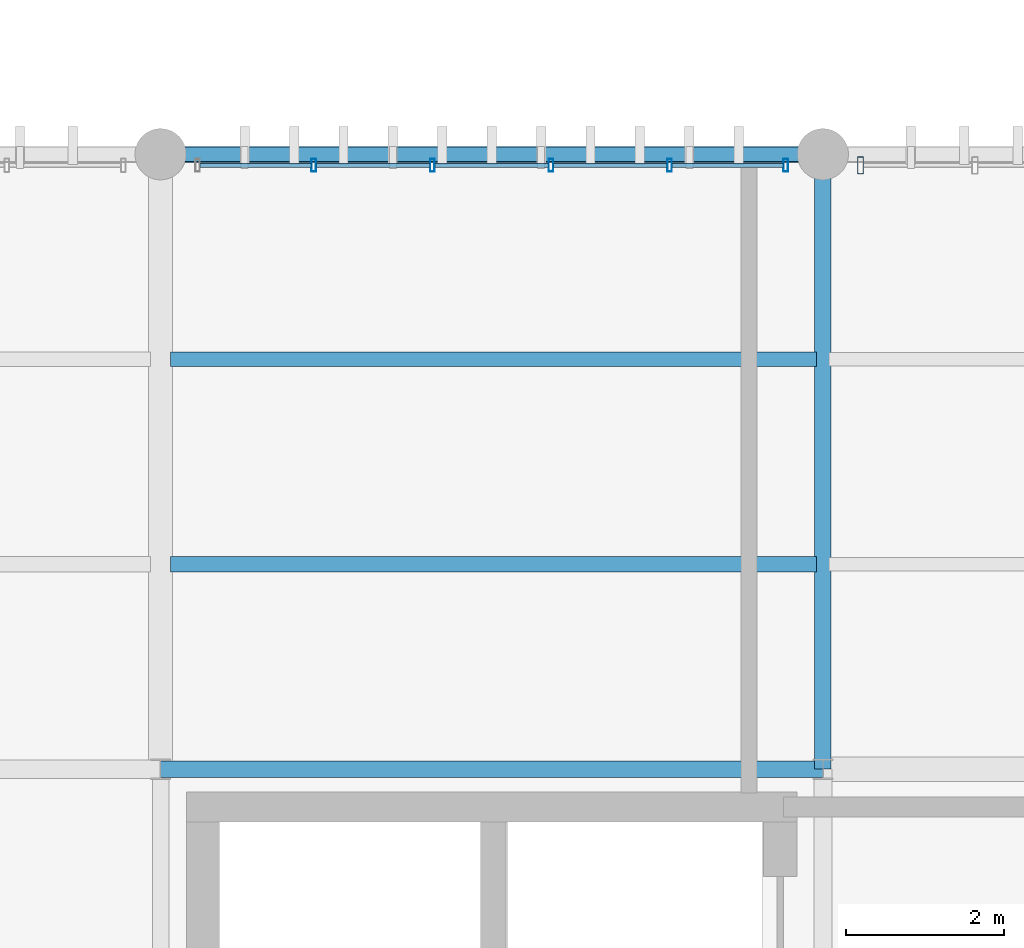
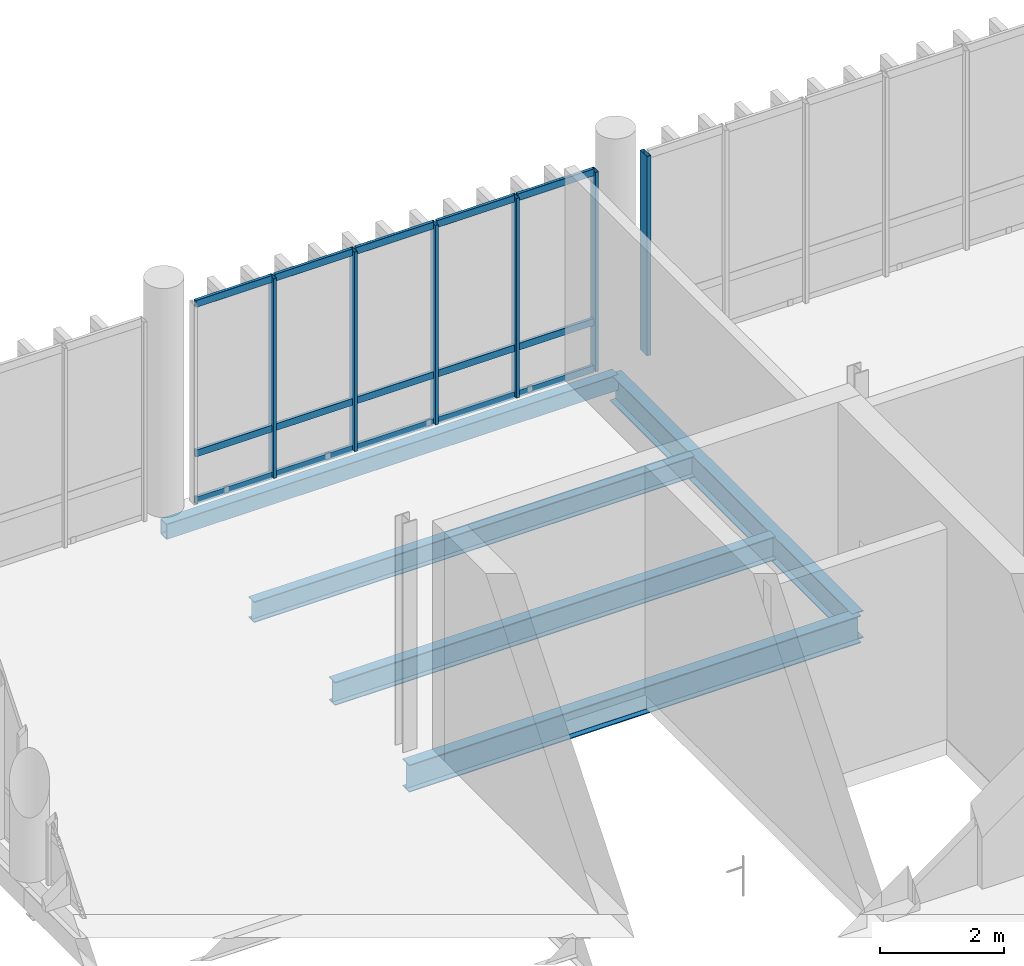
# One storey, part 12 of 66: 21 members, 5 beams, 2 elements without a shape of their own.
"""IFC4 building model written with IfcOpenShell, lengths in metres."""

from ifc_helpers import new_model, si_unit, direction, frame, origin_with_axes, origin_2d_with_axis, place, context, subcontext, project, spatial, hollow_rectangle, i_section, extrude, material, material_profile, profile_set, type_object, element, aggregate, save


model = new_model("IFC4")

# Units and contexts
model_context = context("Model", 3, precision=1e-05, world=origin_with_axes(), true_north=direction((0.0, 1.0)))
body_context = subcontext(model_context, "Body", "Model", "MODEL_VIEW")
ifc_project = project(units=[si_unit("LENGTHUNIT", "METRE"), si_unit("AREAUNIT", "SQUARE_METRE"), si_unit("VOLUMEUNIT", "CUBIC_METRE"), si_unit("PLANEANGLEUNIT", "RADIAN"), si_unit("MASSUNIT", "GRAM", prefix="KILO"), si_unit("THERMODYNAMICTEMPERATUREUNIT", "KELVIN")], contexts=[model_context])

# Site, building, storey
site_placement = place(None, origin_with_axes())
site = spatial("IfcSite", under=ifc_project, at=site_placement, CompositionType="ELEMENT")
building_placement = place(site_placement, origin_with_axes())
building = spatial("IfcBuilding", under=site, at=building_placement, Name="Montbau Bow Law Courts", CompositionType="ELEMENT")
storey_placement = place(building_placement, frame((0.0, 0.0, 34.5), z_axis=(0.0, 0.0, 1.0), x_axis=(1.0, 0.0, 0.0)))
storey = spatial("IfcBuildingStorey", under=building, at=storey_placement, Name="L07", CompositionType="ELEMENT", Elevation=34.5)

# Beams
ifc_material_1 = material(Name="Steel CSA G40.21 Grade 350W (350 MPa)", Category="steel")
ifc_material_profile_1 = material_profile(ifc_material_1, i_section(OverallWidth=0.21, OverallDepth=0.537, WebThickness=0.0109, FlangeThickness=0.0174, at=origin_2d_with_axis()), Name="W530X101", Category="Main", Priority=0)
ifc_profile_set_1 = profile_set([ifc_material_profile_1], Name="Steel CSA G40.21 Grade 350W (350 MPa)")
beam_type_1 = type_object("IfcBeamType", Name="B-FLR-06", PredefinedType="BEAM", material=ifc_profile_set_1)
beam_1_placement = place(None, frame((13.8, 54.6, 33.931), z_axis=(1.0, 0.0, 0.0), x_axis=(0.0, 1.0, 0.0)))
element("IfcBeam", 1, at=beam_1_placement, inside=storey, type_object=beam_type_1, Name="BM-L07-S0729:bm2_0732", PredefinedType="BEAM", context=body_context, shape_type="SweptSolid", body=[
    extrude(i_section(OverallWidth=0.21, OverallDepth=0.537, WebThickness=0.0109, FlangeThickness=0.0174, at=origin_2d_with_axis()), origin_with_axes(), (0.0, 0.0, 1.0), 8.4),
])
beam_2_placement = place(None, frame((22.2, 54.6, 33.931), z_axis=(0.0, 1.0, 0.0), x_axis=(-1.0, 0.0, 0.0)))
element("IfcBeam", 2, at=beam_2_placement, inside=storey, type_object=beam_type_1, Name="BM-L07-S0748:bm2_0751", PredefinedType="BEAM", context=body_context, shape_type="SweptSolid", body=[
    extrude(i_section(OverallWidth=0.21, OverallDepth=0.537, WebThickness=0.0109, FlangeThickness=0.0174, at=origin_2d_with_axis()), origin_with_axes(), (0.0, 0.0, 1.0), 7.8),
])
ifc_material_profile_2 = material_profile(ifc_material_1, i_section(OverallWidth=0.191, OverallDepth=0.46, WebThickness=0.0099, FlangeThickness=0.016, at=origin_2d_with_axis()), Name="W460X82", Category="Main", Priority=0)
ifc_profile_set_2 = profile_set([ifc_material_profile_2], Name="Steel CSA G40.21 Grade 350W (350 MPa)")
beam_type_2 = type_object("IfcBeamType", Name="B-JST-01", PredefinedType="JOIST", material=ifc_profile_set_2)
beam_3_placement = place(None, frame((13.929, 57.2, 33.97), z_axis=(1.0, 0.0, 0.0), x_axis=(0.0, 1.0, 0.0)))
element("IfcBeam", 3, at=beam_3_placement, inside=storey, type_object=beam_type_2, Name="JST-L07-S0368:jst2_0368", PredefinedType="JOIST", context=body_context, shape_type="SweptSolid", body=[
    extrude(i_section(OverallWidth=0.191, OverallDepth=0.46, WebThickness=0.0099, FlangeThickness=0.016, at=origin_2d_with_axis()), origin_with_axes(), (0.0, 0.0, 1.0), 8.19),
])
ifc_material_profile_3 = material_profile(ifc_material_1, i_section(OverallWidth=0.179, OverallDepth=0.41, WebThickness=0.0088, FlangeThickness=0.0144, at=origin_2d_with_axis()), Name="W410X67", Category="Main", Priority=0)
ifc_profile_set_3 = profile_set([ifc_material_profile_3], Name="Steel CSA G40.21 Grade 350W (350 MPa)")
beam_type_3 = type_object("IfcBeamType", Name="B-JST-02", PredefinedType="JOIST", material=ifc_profile_set_3)
beam_4_placement = place(None, frame((13.929, 59.8, 33.995), z_axis=(1.0, 0.0, 0.0), x_axis=(0.0, 1.0, 0.0)))
element("IfcBeam", 4, at=beam_4_placement, inside=storey, type_object=beam_type_3, Name="JST-L07-S0369:jst2_0369", PredefinedType="JOIST", context=body_context, shape_type="SweptSolid", body=[
    extrude(i_section(OverallWidth=0.179, OverallDepth=0.41, WebThickness=0.0088, FlangeThickness=0.0144, at=origin_2d_with_axis()), origin_with_axes(), (0.0, 0.0, 1.0), 8.19),
])
ifc_material_2 = material(Name="Steel CSA G40.21 Grade 350WT (350 MPa)", Category="steel")
ifc_material_profile_4 = material_profile(ifc_material_2, hollow_rectangle(XDim=0.203, YDim=0.305, WallThickness=0.0127, InnerFilletRadius=0.0254, OuterFilletRadius=0.0127, at=origin_2d_with_axis()), Name="HSS305X203X13", Category="Main", Priority=0)
ifc_profile_set_4 = profile_set([ifc_material_profile_4], Name="Steel CSA G40.21 Grade 350WT (350 MPa)")
beam_type_4 = type_object("IfcBeamType", Name="B-SPN-02", PredefinedType="SPANDREL", material=ifc_profile_set_4)
beam_5_placement = place(None, frame((13.8, 62.4, 34.047), z_axis=(1.0, 0.0, 0.0), x_axis=(0.0, 1.0, 0.0)))
element("IfcBeam", 5, at=beam_5_placement, inside=storey, type_object=beam_type_4, Name="SPN-L07-S0734:bm2_0737", PredefinedType="SPANDREL", context=body_context, shape_type="SweptSolid", body=[
    extrude(hollow_rectangle(XDim=0.203, YDim=0.305, WallThickness=0.0127, InnerFilletRadius=0.0254, OuterFilletRadius=0.0127, at=origin_2d_with_axis()), origin_with_axes(), (0.0, 0.0, 1.0), 8.4),
])

# Curtain wall, member
ifc_material_3 = material(Name="Thermally Broken Extruded Aluminium AA 6063-T6", Category="aluminium")
curtain_wall_type = type_object("IfcCurtainWallType", Name="CW-TRC-02", PredefinedType="NOTDEFINED", material=ifc_material_3)
curtain_wall_1_placement = place(None, frame((22.64, 62.26, 34.5), z_axis=(0.0, 0.0, 1.0), x_axis=(1.0, 0.0, 0.0)))
curtain_wall_1 = element("IfcCurtainWall", 6, at=curtain_wall_1_placement, inside=storey, type_object=curtain_wall_type, Name="CW-L07-114:cw_0114", PredefinedType="NOTDEFINED")
ifc_material_profile_5 = material_profile(ifc_material_3, hollow_rectangle(XDim=0.075, YDim=0.22, WallThickness=0.005, InnerFilletRadius=0.01, OuterFilletRadius=0.005, at=origin_2d_with_axis()), Name="CWM-220X75", Category="Main", Priority=0)
ifc_profile_set_5 = profile_set([ifc_material_profile_5], Name="Thermally Broken Extruded Aluminium AA 6063-T6")
member_type_1 = type_object("IfcMemberType", Name="M-MUL-01", PredefinedType="MULLION", material=ifc_profile_set_5)
member_1_placement = place(None, frame((22.677, 62.26, 34.5), z_axis=(0.0, 0.0, 1.0), x_axis=(1.0, 0.0, 0.0)))
member_1 = element("IfcMember", 7, at=member_1_placement, type_object=member_type_1, Name="CW-L07-114-M01:cw_0114_M01", PredefinedType="MULLION", context=body_context, shape_type="SweptSolid", body=[
    extrude(hollow_rectangle(XDim=0.075, YDim=0.22, WallThickness=0.005, InnerFilletRadius=0.01, OuterFilletRadius=0.005, at=origin_2d_with_axis()), origin_with_axes(), (0.0, 0.0, 1.0), 3.92),
])
aggregate(curtain_wall_1, [member_1])

# Curtain wall, members
curtain_wall_2_placement = place(None, frame((14.24, 62.26, 34.5), z_axis=(0.0, 0.0, 1.0), x_axis=(1.0, 0.0, 0.0)))
curtain_wall_2 = element("IfcCurtainWall", 8, at=curtain_wall_2_placement, inside=storey, type_object=curtain_wall_type, Name="CW-L07-113:cw_0113", PredefinedType="NOTDEFINED")
ifc_material_profile_6 = material_profile(ifc_material_3, hollow_rectangle(XDim=0.06, YDim=0.16, WallThickness=0.004, InnerFilletRadius=0.008, OuterFilletRadius=0.004, at=origin_2d_with_axis()), Name="CWM-160X60", Category="Main", Priority=0)
ifc_profile_set_6 = profile_set([ifc_material_profile_6], Name="Thermally Broken Extruded Aluminium AA 6063-T6")
member_type_2 = type_object("IfcMemberType", Name="M-MUL-03", PredefinedType="MULLION", material=ifc_profile_set_6)
member_2_placement = place(None, frame((15.744, 62.26, 34.5), z_axis=(0.0, 0.0, 1.0), x_axis=(1.0, 0.0, 0.0)))
member_2 = element("IfcMember", 9, at=member_2_placement, type_object=member_type_2, Name="CW-L07-113-M02:cw_0113_M02", PredefinedType="MULLION", context=body_context, shape_type="SweptSolid", body=[
    extrude(hollow_rectangle(XDim=0.06, YDim=0.16, WallThickness=0.004, InnerFilletRadius=0.008, OuterFilletRadius=0.004, at=origin_2d_with_axis()), origin_with_axes(), (0.0, 0.0, 1.0), 3.92),
])
member_3_placement = place(None, frame((17.248, 62.26, 34.5), z_axis=(0.0, 0.0, 1.0), x_axis=(1.0, 0.0, 0.0)))
member_3 = element("IfcMember", 10, at=member_3_placement, type_object=member_type_2, Name="CW-L07-113-M03:cw_0113_M03", PredefinedType="MULLION", context=body_context, shape_type="SweptSolid", body=[
    extrude(hollow_rectangle(XDim=0.06, YDim=0.16, WallThickness=0.004, InnerFilletRadius=0.008, OuterFilletRadius=0.004, at=origin_2d_with_axis()), origin_with_axes(), (0.0, 0.0, 1.0), 3.92),
])
member_4_placement = place(None, frame((18.752, 62.26, 34.5), z_axis=(0.0, 0.0, 1.0), x_axis=(1.0, 0.0, 0.0)))
member_4 = element("IfcMember", 11, at=member_4_placement, type_object=member_type_2, Name="CW-L07-113-M04:cw_0113_M04", PredefinedType="MULLION", context=body_context, shape_type="SweptSolid", body=[
    extrude(hollow_rectangle(XDim=0.06, YDim=0.16, WallThickness=0.004, InnerFilletRadius=0.008, OuterFilletRadius=0.004, at=origin_2d_with_axis()), origin_with_axes(), (0.0, 0.0, 1.0), 3.92),
])
member_5_placement = place(None, frame((20.256, 62.26, 34.5), z_axis=(0.0, 0.0, 1.0), x_axis=(1.0, 0.0, 0.0)))
member_5 = element("IfcMember", 12, at=member_5_placement, type_object=member_type_2, Name="CW-L07-113-M05:cw_0113_M05", PredefinedType="MULLION", context=body_context, shape_type="SweptSolid", body=[
    extrude(hollow_rectangle(XDim=0.06, YDim=0.16, WallThickness=0.004, InnerFilletRadius=0.008, OuterFilletRadius=0.004, at=origin_2d_with_axis()), origin_with_axes(), (0.0, 0.0, 1.0), 3.92),
])
member_6_placement = place(None, frame((21.73, 62.26, 34.5), z_axis=(0.0, 0.0, 1.0), x_axis=(1.0, 0.0, 0.0)))
member_6 = element("IfcMember", 13, at=member_6_placement, type_object=member_type_2, Name="CW-L07-113-M06:cw_0113_M06", PredefinedType="MULLION", context=body_context, shape_type="SweptSolid", body=[
    extrude(hollow_rectangle(XDim=0.06, YDim=0.16, WallThickness=0.004, InnerFilletRadius=0.008, OuterFilletRadius=0.004, at=origin_2d_with_axis()), origin_with_axes(), (0.0, 0.0, 1.0), 3.92),
])
ifc_material_profile_7 = material_profile(ifc_material_3, hollow_rectangle(XDim=0.055, YDim=0.14, WallThickness=0.004, InnerFilletRadius=0.008, OuterFilletRadius=0.004, at=origin_2d_with_axis()), Name="CWT-140X55", Category="Main", Priority=0)
ifc_profile_set_7 = profile_set([ifc_material_profile_7], Name="Thermally Broken Extruded Aluminium AA 6063-T6")
member_type_3 = type_object("IfcMemberType", Name="M-TRN-02", PredefinedType="USERDEFINED", material=ifc_profile_set_7)
member_7_placement = place(None, frame((14.302, 62.26, 34.528), z_axis=(1.0, 0.0, 0.0), x_axis=(0.0, 1.0, 0.0)))
member_7 = element("IfcMember", 14, at=member_7_placement, type_object=member_type_3, Name="CW-L07-113-T01-1:cw_0113_T01_1", ObjectType="TRANSOM", PredefinedType="USERDEFINED", context=body_context, shape_type="SweptSolid", body=[
    extrude(hollow_rectangle(XDim=0.055, YDim=0.14, WallThickness=0.004, InnerFilletRadius=0.008, OuterFilletRadius=0.004, at=origin_2d_with_axis()), origin_with_axes(), (0.0, 0.0, 1.0), 1.41),
])
member_8_placement = place(None, frame((14.302, 62.26, 35.45), z_axis=(1.0, 0.0, 0.0), x_axis=(0.0, 1.0, 0.0)))
member_8 = element("IfcMember", 15, at=member_8_placement, type_object=member_type_3, Name="CW-L07-113-T01-2:cw_0113_T01_2", ObjectType="TRANSOM", PredefinedType="USERDEFINED", context=body_context, shape_type="SweptSolid", body=[
    extrude(hollow_rectangle(XDim=0.055, YDim=0.14, WallThickness=0.004, InnerFilletRadius=0.008, OuterFilletRadius=0.004, at=origin_2d_with_axis()), origin_with_axes(), (0.0, 0.0, 1.0), 1.41),
])
member_9_placement = place(None, frame((14.302, 62.26, 38.392), z_axis=(1.0, 0.0, 0.0), x_axis=(0.0, 1.0, 0.0)))
member_9 = element("IfcMember", 16, at=member_9_placement, type_object=member_type_3, Name="CW-L07-113-T01-3:cw_0113_T01_3", ObjectType="TRANSOM", PredefinedType="USERDEFINED", context=body_context, shape_type="SweptSolid", body=[
    extrude(hollow_rectangle(XDim=0.055, YDim=0.14, WallThickness=0.004, InnerFilletRadius=0.008, OuterFilletRadius=0.004, at=origin_2d_with_axis()), origin_with_axes(), (0.0, 0.0, 1.0), 1.41),
])
member_10_placement = place(None, frame((15.776, 62.26, 34.528), z_axis=(1.0, 0.0, 0.0), x_axis=(0.0, 1.0, 0.0)))
member_10 = element("IfcMember", 17, at=member_10_placement, type_object=member_type_3, Name="CW-L07-113-T02-1:cw_0113_T02_1", ObjectType="TRANSOM", PredefinedType="USERDEFINED", context=body_context, shape_type="SweptSolid", body=[
    extrude(hollow_rectangle(XDim=0.055, YDim=0.14, WallThickness=0.004, InnerFilletRadius=0.008, OuterFilletRadius=0.004, at=origin_2d_with_axis()), origin_with_axes(), (0.0, 0.0, 1.0), 1.44),
])
member_11_placement = place(None, frame((15.776, 62.26, 35.45), z_axis=(1.0, 0.0, 0.0), x_axis=(0.0, 1.0, 0.0)))
member_11 = element("IfcMember", 18, at=member_11_placement, type_object=member_type_3, Name="CW-L07-113-T02-2:cw_0113_T02_2", ObjectType="TRANSOM", PredefinedType="USERDEFINED", context=body_context, shape_type="SweptSolid", body=[
    extrude(hollow_rectangle(XDim=0.055, YDim=0.14, WallThickness=0.004, InnerFilletRadius=0.008, OuterFilletRadius=0.004, at=origin_2d_with_axis()), origin_with_axes(), (0.0, 0.0, 1.0), 1.44),
])
member_12_placement = place(None, frame((15.776, 62.26, 38.392), z_axis=(1.0, 0.0, 0.0), x_axis=(0.0, 1.0, 0.0)))
member_12 = element("IfcMember", 19, at=member_12_placement, type_object=member_type_3, Name="CW-L07-113-T02-3:cw_0113_T02_3", ObjectType="TRANSOM", PredefinedType="USERDEFINED", context=body_context, shape_type="SweptSolid", body=[
    extrude(hollow_rectangle(XDim=0.055, YDim=0.14, WallThickness=0.004, InnerFilletRadius=0.008, OuterFilletRadius=0.004, at=origin_2d_with_axis()), origin_with_axes(), (0.0, 0.0, 1.0), 1.44),
])
member_13_placement = place(None, frame((17.28, 62.26, 34.528), z_axis=(1.0, 0.0, 0.0), x_axis=(0.0, 1.0, 0.0)))
member_13 = element("IfcMember", 20, at=member_13_placement, type_object=member_type_3, Name="CW-L07-113-T03-1:cw_0113_T03_1", ObjectType="TRANSOM", PredefinedType="USERDEFINED", context=body_context, shape_type="SweptSolid", body=[
    extrude(hollow_rectangle(XDim=0.055, YDim=0.14, WallThickness=0.004, InnerFilletRadius=0.008, OuterFilletRadius=0.004, at=origin_2d_with_axis()), origin_with_axes(), (0.0, 0.0, 1.0), 1.44),
])
member_14_placement = place(None, frame((17.28, 62.26, 35.45), z_axis=(1.0, 0.0, 0.0), x_axis=(0.0, 1.0, 0.0)))
member_14 = element("IfcMember", 21, at=member_14_placement, type_object=member_type_3, Name="CW-L07-113-T03-2:cw_0113_T03_2", ObjectType="TRANSOM", PredefinedType="USERDEFINED", context=body_context, shape_type="SweptSolid", body=[
    extrude(hollow_rectangle(XDim=0.055, YDim=0.14, WallThickness=0.004, InnerFilletRadius=0.008, OuterFilletRadius=0.004, at=origin_2d_with_axis()), origin_with_axes(), (0.0, 0.0, 1.0), 1.44),
])
member_15_placement = place(None, frame((17.28, 62.26, 38.392), z_axis=(1.0, 0.0, 0.0), x_axis=(0.0, 1.0, 0.0)))
member_15 = element("IfcMember", 22, at=member_15_placement, type_object=member_type_3, Name="CW-L07-113-T03-3:cw_0113_T03_3", ObjectType="TRANSOM", PredefinedType="USERDEFINED", context=body_context, shape_type="SweptSolid", body=[
    extrude(hollow_rectangle(XDim=0.055, YDim=0.14, WallThickness=0.004, InnerFilletRadius=0.008, OuterFilletRadius=0.004, at=origin_2d_with_axis()), origin_with_axes(), (0.0, 0.0, 1.0), 1.44),
])
member_16_placement = place(None, frame((18.784, 62.26, 34.528), z_axis=(1.0, 0.0, 0.0), x_axis=(0.0, 1.0, 0.0)))
member_16 = element("IfcMember", 23, at=member_16_placement, type_object=member_type_3, Name="CW-L07-113-T04-1:cw_0113_T04_1", ObjectType="TRANSOM", PredefinedType="USERDEFINED", context=body_context, shape_type="SweptSolid", body=[
    extrude(hollow_rectangle(XDim=0.055, YDim=0.14, WallThickness=0.004, InnerFilletRadius=0.008, OuterFilletRadius=0.004, at=origin_2d_with_axis()), origin_with_axes(), (0.0, 0.0, 1.0), 1.44),
])
member_17_placement = place(None, frame((18.784, 62.26, 35.45), z_axis=(1.0, 0.0, 0.0), x_axis=(0.0, 1.0, 0.0)))
member_17 = element("IfcMember", 24, at=member_17_placement, type_object=member_type_3, Name="CW-L07-113-T04-2:cw_0113_T04_2", ObjectType="TRANSOM", PredefinedType="USERDEFINED", context=body_context, shape_type="SweptSolid", body=[
    extrude(hollow_rectangle(XDim=0.055, YDim=0.14, WallThickness=0.004, InnerFilletRadius=0.008, OuterFilletRadius=0.004, at=origin_2d_with_axis()), origin_with_axes(), (0.0, 0.0, 1.0), 1.44),
])
member_18_placement = place(None, frame((18.784, 62.26, 38.392), z_axis=(1.0, 0.0, 0.0), x_axis=(0.0, 1.0, 0.0)))
member_18 = element("IfcMember", 25, at=member_18_placement, type_object=member_type_3, Name="CW-L07-113-T04-3:cw_0113_T04_3", ObjectType="TRANSOM", PredefinedType="USERDEFINED", context=body_context, shape_type="SweptSolid", body=[
    extrude(hollow_rectangle(XDim=0.055, YDim=0.14, WallThickness=0.004, InnerFilletRadius=0.008, OuterFilletRadius=0.004, at=origin_2d_with_axis()), origin_with_axes(), (0.0, 0.0, 1.0), 1.44),
])
member_19_placement = place(None, frame((20.288, 62.26, 34.528), z_axis=(1.0, 0.0, 0.0), x_axis=(0.0, 1.0, 0.0)))
member_19 = element("IfcMember", 26, at=member_19_placement, type_object=member_type_3, Name="CW-L07-113-T05-1:cw_0113_T05_1", ObjectType="TRANSOM", PredefinedType="USERDEFINED", context=body_context, shape_type="SweptSolid", body=[
    extrude(hollow_rectangle(XDim=0.055, YDim=0.14, WallThickness=0.004, InnerFilletRadius=0.008, OuterFilletRadius=0.004, at=origin_2d_with_axis()), origin_with_axes(), (0.0, 0.0, 1.0), 1.41),
])
member_20_placement = place(None, frame((20.288, 62.26, 35.45), z_axis=(1.0, 0.0, 0.0), x_axis=(0.0, 1.0, 0.0)))
member_20 = element("IfcMember", 27, at=member_20_placement, type_object=member_type_3, Name="CW-L07-113-T05-2:cw_0113_T05_2", ObjectType="TRANSOM", PredefinedType="USERDEFINED", context=body_context, shape_type="SweptSolid", body=[
    extrude(hollow_rectangle(XDim=0.055, YDim=0.14, WallThickness=0.004, InnerFilletRadius=0.008, OuterFilletRadius=0.004, at=origin_2d_with_axis()), origin_with_axes(), (0.0, 0.0, 1.0), 1.41),
])
member_21_placement = place(None, frame((20.288, 62.26, 38.392), z_axis=(1.0, 0.0, 0.0), x_axis=(0.0, 1.0, 0.0)))
member_21 = element("IfcMember", 28, at=member_21_placement, type_object=member_type_3, Name="CW-L07-113-T05-3:cw_0113_T05_3", ObjectType="TRANSOM", PredefinedType="USERDEFINED", context=body_context, shape_type="SweptSolid", body=[
    extrude(hollow_rectangle(XDim=0.055, YDim=0.14, WallThickness=0.004, InnerFilletRadius=0.008, OuterFilletRadius=0.004, at=origin_2d_with_axis()), origin_with_axes(), (0.0, 0.0, 1.0), 1.41),
])
aggregate(curtain_wall_2, [member_2, member_3, member_4, member_5, member_6, member_7, member_8, member_9, member_10, member_11, member_12, member_13, member_14, member_15, member_16, member_17, member_18, member_19, member_20, member_21])

save(model, "model.ifc")
